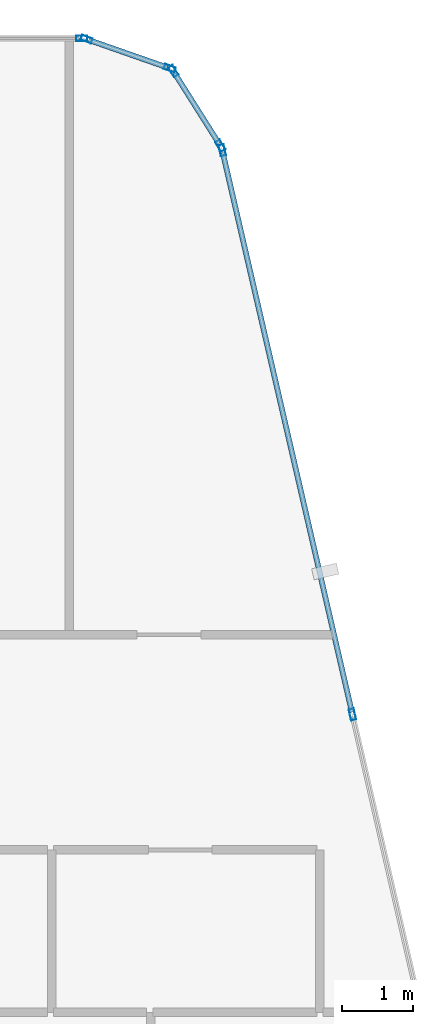
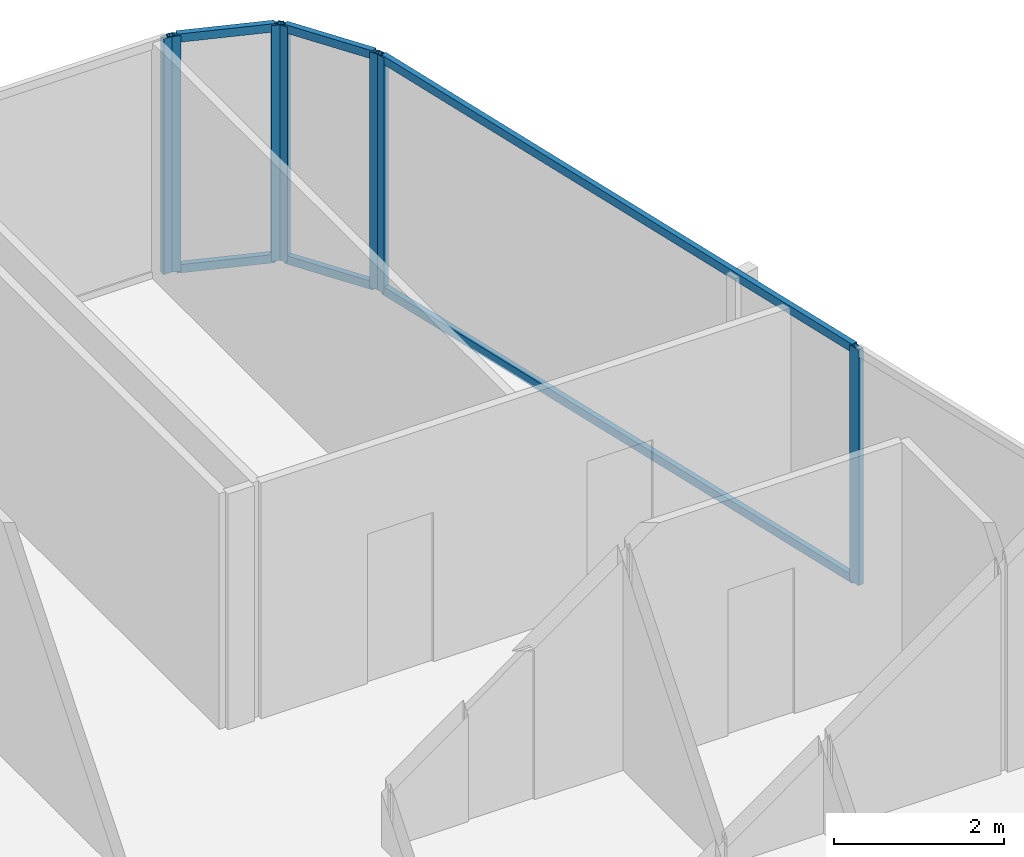
# One storey, part 19 of 27: 13 members, 4 elements without a shape of their own.
"""IFC4 building model written with IfcOpenShell, lengths in metres."""

from ifc_helpers import new_model, si_unit, direction, frame, origin, origin_2d, place, context, subcontext, project, spatial, hollow_rectangle, extrude, material, layer, layer_set, material_profile, profile_set, type_object, element, aggregate, save


model = new_model("IFC4")

# Units and contexts
model_context = context("Model", 3, precision=1e-05, world=origin(), true_north=direction((0.0, 1.0)))
body_context = subcontext(model_context, "Body", "Model", "MODEL_VIEW")
ifc_project = project(units=[si_unit("LENGTHUNIT", "METRE"), si_unit("AREAUNIT", "SQUARE_METRE"), si_unit("VOLUMEUNIT", "CUBIC_METRE"), si_unit("PLANEANGLEUNIT", "RADIAN"), si_unit("MASSUNIT", "GRAM", prefix="KILO")], contexts=[model_context])

# Site, building, storey
site_placement = place(None, origin())
site = spatial("IfcSite", under=ifc_project, at=site_placement, CompositionType="ELEMENT")
building_placement = place(site_placement, origin())
building = spatial("IfcBuilding", under=site, at=building_placement, Name="Keshet Zoharim Tower", CompositionType="ELEMENT")
storey_placement = place(building_placement, frame((0.0, 0.0, 273.199951171875)))
storey = spatial("IfcBuildingStorey", under=building, at=storey_placement, Name="L68", CompositionType="ELEMENT", Elevation=273.199951171875)

# Curtain wall, member
ifc_material = material(Name="Aluminium 6063-T6", Category="aluminium")
ifc_layer = layer(ifc_material, 0.260009765625)
ifc_layer_set = layer_set([ifc_layer], Name="Aluminium 6063-T6")
curtain_wall_type = type_object("IfcCurtainWallType", Name="CW-SYS-06", PredefinedType="NOTDEFINED", material=ifc_layer_set)
curtain_wall_1_placement = place(storey_placement, origin())
curtain_wall_1 = element("IfcCurtainWall", 1, at=curtain_wall_1_placement, inside=storey, type_object=curtain_wall_type, Name="L68 Unitised Curtain Wall 06 Part 5", PredefinedType="NOTDEFINED")
ifc_material_profile_1 = material_profile(ifc_material, hollow_rectangle(XDim=0.074951171875, YDim=0.159912109375, WallThickness=0.00390625, at=origin_2d()), Name="MUL-75x160")
ifc_profile_set_1 = profile_set([ifc_material_profile_1], Name="Aluminium 6063-T6")
member_type_1 = type_object("IfcMemberType", Name="CWM-M15", PredefinedType="MULLION", material=ifc_profile_set_1)
member_1_placement = place(storey_placement, frame((37.3740234375, 53.89990234375, 0.0), z_axis=(0.0, 0.0, 1.0), x_axis=(0.0, 1.0, 0.0)))
member_1 = element("IfcMember", 2, at=member_1_placement, type_object=member_type_1, Name="CW-06 mullion 2", PredefinedType="MULLION", context=body_context, shape_type="SweptSolid", body=[
    extrude(hollow_rectangle(XDim=0.074951171875, YDim=0.159912109375, WallThickness=0.00390625, at=origin_2d()), origin(), (0.0, 0.0, 1.0), 3.39013671875),
])
aggregate(curtain_wall_1, [member_1])

# Curtain wall, members
curtain_wall_2_placement = place(storey_placement, origin())
curtain_wall_2 = element("IfcCurtainWall", 3, at=curtain_wall_2_placement, inside=storey, type_object=curtain_wall_type, Name="L68 Unitised Curtain Wall 07", PredefinedType="NOTDEFINED")
member_2_placement = place(storey_placement, frame((37.442138671875, 53.888427734375, 0.0), z_axis=(0.0, 0.0, 1.0), x_axis=(0.329843743636, 0.944035542119, 0.0)))
member_2 = element("IfcMember", 4, at=member_2_placement, type_object=member_type_1, Name="CW-06 mullion 1", PredefinedType="MULLION", context=body_context, shape_type="SweptSolid", body=[
    extrude(hollow_rectangle(XDim=0.074951171875, YDim=0.159912109375, WallThickness=0.00390625, at=origin_2d()), origin(), (0.0, 0.0, 1.0), 3.39013671875),
])
member_3_placement = place(storey_placement, frame((38.620849609375, 53.4765625, 0.0), z_axis=(0.0, 0.0, 1.0), x_axis=(0.329843743636, 0.944035542119, 0.0)))
member_3 = element("IfcMember", 5, at=member_3_placement, type_object=member_type_1, Name="CW-06 mullion 2", PredefinedType="MULLION", context=body_context, shape_type="SweptSolid", body=[
    extrude(hollow_rectangle(XDim=0.074951171875, YDim=0.159912109375, WallThickness=0.00390625, at=origin_2d()), origin(), (0.0, 0.0, 1.0), 3.39013671875),
])

curtain_wall_3_placement = place(storey_placement, origin())
curtain_wall_3 = element("IfcCurtainWall", 6, at=curtain_wall_3_placement, inside=storey, type_object=curtain_wall_type, Name="L68 Unitised Curtain Wall 08", PredefinedType="NOTDEFINED")
member_4_placement = place(storey_placement, frame((38.672607421875, 53.435302734375, 0.0), z_axis=(0.0, 0.0, 1.0), x_axis=(0.845560976183, 0.533878858502, 0.0)))
member_4 = element("IfcMember", 7, at=member_4_placement, type_object=member_type_1, Name="CW-06 mullion 1", PredefinedType="MULLION", context=body_context, shape_type="SweptSolid", body=[
    extrude(hollow_rectangle(XDim=0.074951171875, YDim=0.159912109375, WallThickness=0.00390625, at=origin_2d()), origin(), (0.0, 0.0, 1.0), 3.39013671875),
])
member_5_placement = place(storey_placement, frame((39.33935546875, 52.379638671875, 0.0), z_axis=(0.0, 0.0, 1.0), x_axis=(0.845560976183, 0.533878858502, 0.0)))
member_5 = element("IfcMember", 8, at=member_5_placement, type_object=member_type_1, Name="CW-06 mullion 2", PredefinedType="MULLION", context=body_context, shape_type="SweptSolid", body=[
    extrude(hollow_rectangle(XDim=0.074951171875, YDim=0.159912109375, WallThickness=0.00390625, at=origin_2d()), origin(), (0.0, 0.0, 1.0), 3.39013671875),
])

curtain_wall_4_placement = place(storey_placement, origin())
curtain_wall_4 = element("IfcCurtainWall", 9, at=curtain_wall_4_placement, inside=storey, type_object=curtain_wall_type, Name="L68 Unitised Curtain Wall 09", PredefinedType="NOTDEFINED")
member_6_placement = place(storey_placement, frame((39.365966796875, 52.31591796875, 0.0), z_axis=(0.0, 0.0, 1.0), x_axis=(0.974398012932, 0.224829963294, 0.0)))
member_6 = element("IfcMember", 10, at=member_6_placement, type_object=member_type_1, Name="CW-06 mullion 1", PredefinedType="MULLION", context=body_context, shape_type="SweptSolid", body=[
    extrude(hollow_rectangle(XDim=0.074951171875, YDim=0.159912109375, WallThickness=0.00390625, at=origin_2d()), origin(), (0.0, 0.0, 1.0), 3.39013671875),
])
member_7_placement = place(storey_placement, frame((41.210693359375, 44.320556640625, 0.0), z_axis=(0.0, 0.0, 1.0), x_axis=(0.974398012932, 0.224829963294, 0.0)))
member_7 = element("IfcMember", 11, at=member_7_placement, type_object=member_type_1, Name="CW-06 mullion 2", PredefinedType="MULLION", context=body_context, shape_type="SweptSolid", body=[
    extrude(hollow_rectangle(XDim=0.074951171875, YDim=0.159912109375, WallThickness=0.00390625, at=origin_2d()), origin(), (0.0, 0.0, 1.0), 3.39013671875),
])

# Member
ifc_material_profile_2 = material_profile(ifc_material, hollow_rectangle(XDim=0.074951171875, YDim=0.1201171875, WallThickness=0.00390625, at=origin_2d()), Name="TRN-75x120")
ifc_profile_set_2 = profile_set([ifc_material_profile_2], Name="Aluminium 6063-T6")
member_type_2 = type_object("IfcMemberType", Name="CWT-T12", PredefinedType="USERDEFINED", material=ifc_profile_set_2)
member_8_placement = place(storey_placement, frame((37.47509765625, 53.876953125, 0.03515625), z_axis=(0.944006789648, -0.329926023675, 0.0), x_axis=(0.329926023675, 0.944006789648, 0.0)))
member_8 = element("IfcMember", 12, at=member_8_placement, type_object=member_type_2, Name="CW-06 transom 1.1", ObjectType="TRANSOM", PredefinedType="USERDEFINED", context=body_context, shape_type="SweptSolid", body=[
    extrude(hollow_rectangle(XDim=0.074951171875, YDim=0.1201171875, WallThickness=0.00390625, at=origin_2d()), origin(), (0.0, 0.0, 1.0), 1.1787109375),
])

member_9_placement = place(storey_placement, frame((37.47509765625, 53.876953125, 3.35498046875), z_axis=(0.944006789648, -0.329926023675, 0.0), x_axis=(0.329926023675, 0.944006789648, 0.0)))
member_9 = element("IfcMember", 13, at=member_9_placement, type_object=member_type_2, Name="CW-06 transom 1.2", ObjectType="TRANSOM", PredefinedType="USERDEFINED", context=body_context, shape_type="SweptSolid", body=[
    extrude(hollow_rectangle(XDim=0.074951171875, YDim=0.1201171875, WallThickness=0.00390625, at=origin_2d()), origin(), (0.0, 0.0, 1.0), 1.1787109375),
])

aggregate(curtain_wall_2, [member_2, member_3, member_8, member_9])

member_10_placement = place(storey_placement, frame((38.69140625, 53.40576171875, 0.03515625), z_axis=(0.53382931122, -0.845592257819, 0.0), x_axis=(0.845592257819, 0.53382931122, 0.0)))
member_10 = element("IfcMember", 14, at=member_10_placement, type_object=member_type_2, Name="CW-06 transom 1.1", ObjectType="TRANSOM", PredefinedType="USERDEFINED", context=body_context, shape_type="SweptSolid", body=[
    extrude(hollow_rectangle(XDim=0.074951171875, YDim=0.1201171875, WallThickness=0.00390625, at=origin_2d()), origin(), (0.0, 0.0, 1.0), 1.178466796875),
])

member_11_placement = place(storey_placement, frame((38.69140625, 53.40576171875, 3.35498046875), z_axis=(0.53382931122, -0.845592257819, 0.0), x_axis=(0.845592257819, 0.53382931122, 0.0)))
member_11 = element("IfcMember", 15, at=member_11_placement, type_object=member_type_2, Name="CW-06 transom 1.2", ObjectType="TRANSOM", PredefinedType="USERDEFINED", context=body_context, shape_type="SweptSolid", body=[
    extrude(hollow_rectangle(XDim=0.074951171875, YDim=0.1201171875, WallThickness=0.00390625, at=origin_2d()), origin(), (0.0, 0.0, 1.0), 1.178466796875),
])

aggregate(curtain_wall_3, [member_4, member_5, member_10, member_11])

member_12_placement = place(storey_placement, frame((39.373779296875, 52.28173828125, 0.03515625), z_axis=(0.224835397421, -0.97439675906, 0.0), x_axis=(0.97439675906, 0.224835397421, 0.0)))
member_12 = element("IfcMember", 16, at=member_12_placement, type_object=member_type_2, Name="CW-06 transom 1.1", ObjectType="TRANSOM", PredefinedType="USERDEFINED", context=body_context, shape_type="SweptSolid", body=[
    extrude(hollow_rectangle(XDim=0.074951171875, YDim=0.1201171875, WallThickness=0.00390625, at=origin_2d()), origin(), (0.0, 0.0, 1.0), 8.13525390625),
])

member_13_placement = place(storey_placement, frame((39.373779296875, 52.28173828125, 3.35498046875), z_axis=(0.224835397421, -0.97439675906, 0.0), x_axis=(0.97439675906, 0.224835397421, 0.0)))
member_13 = element("IfcMember", 17, at=member_13_placement, type_object=member_type_2, Name="CW-06 transom 1.2", ObjectType="TRANSOM", PredefinedType="USERDEFINED", context=body_context, shape_type="SweptSolid", body=[
    extrude(hollow_rectangle(XDim=0.074951171875, YDim=0.1201171875, WallThickness=0.00390625, at=origin_2d()), origin(), (0.0, 0.0, 1.0), 8.13525390625),
])

aggregate(curtain_wall_4, [member_6, member_7, member_12, member_13])

save(model, "model.ifc")
